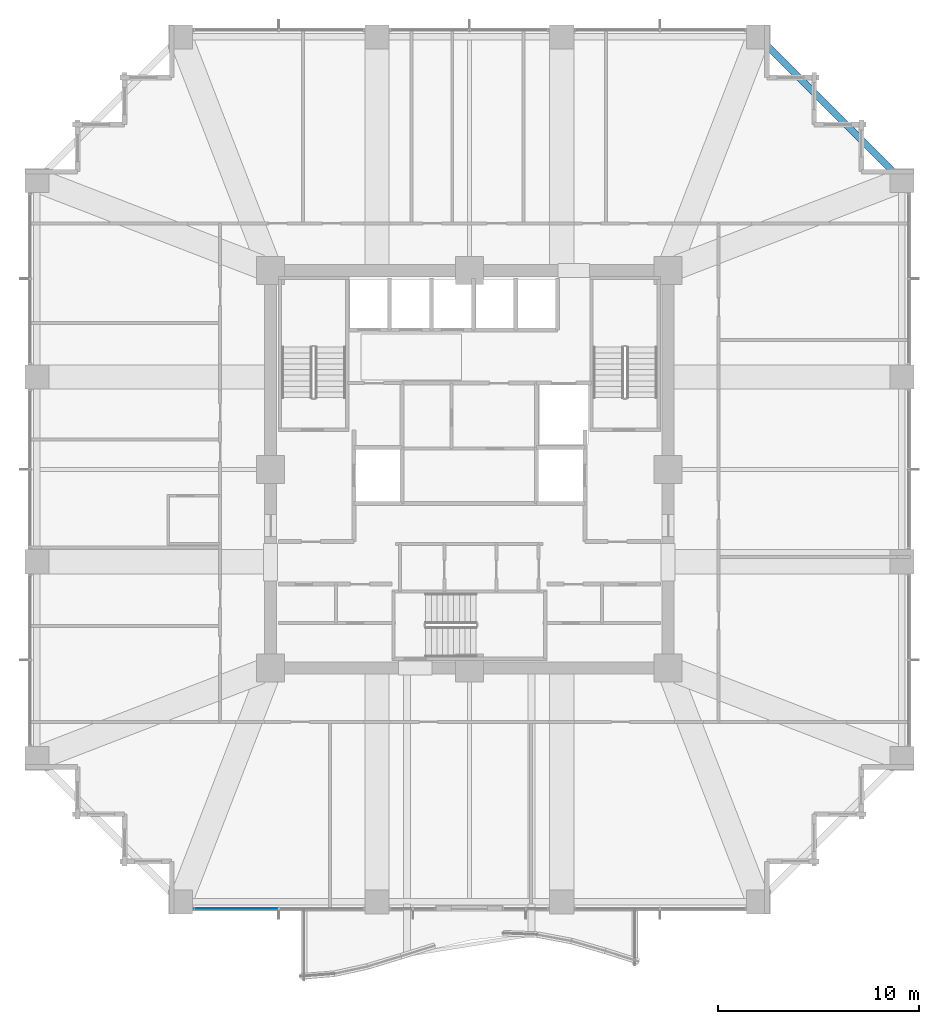
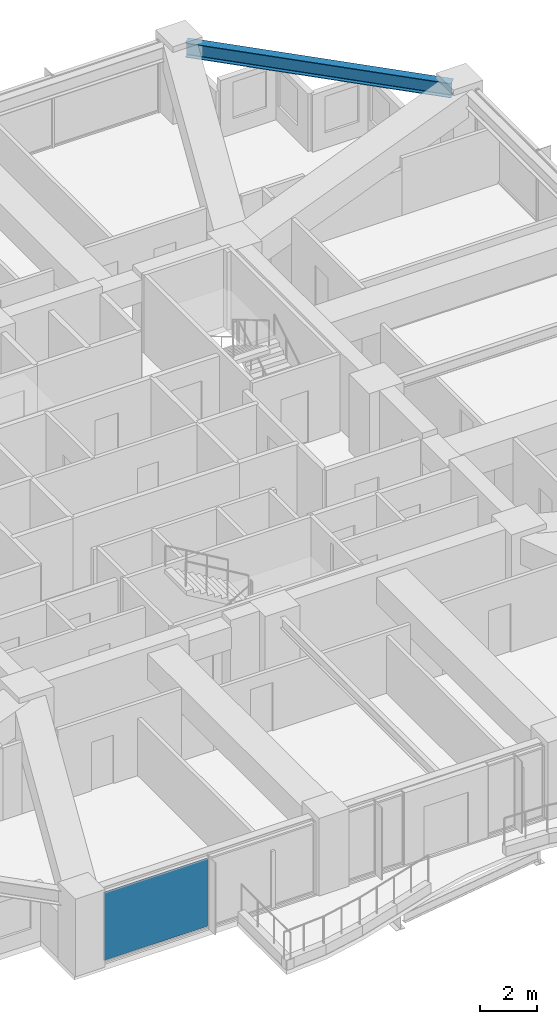
# One storey, part 26 of 37: 1 beam, 1 plate, 1 element without a shape of its own.
"""IFC4 building model written with IfcOpenShell, lengths in metres."""

from ifc_helpers import new_model, si_unit, direction, frame, origin, origin_2d, place, context, subcontext, project, spatial, rectangle, i_section, extrude, material, layer, layer_set, material_profile, profile_set, type_object, element, aggregate, save


model = new_model("IFC4")

# Units and contexts
model_context = context("Model", 3, precision=1e-05, world=origin(), true_north=direction((0.0, 1.0)))
body_context = subcontext(model_context, "Body", "Model", "MODEL_VIEW")
ifc_project = project(units=[si_unit("LENGTHUNIT", "METRE"), si_unit("AREAUNIT", "SQUARE_METRE"), si_unit("VOLUMEUNIT", "CUBIC_METRE"), si_unit("PLANEANGLEUNIT", "RADIAN"), si_unit("MASSUNIT", "GRAM", prefix="KILO")], contexts=[model_context])

# Site, building, storey
site_placement = place(None, origin())
site = spatial("IfcSite", under=ifc_project, at=site_placement, CompositionType="ELEMENT")
building_placement = place(site_placement, origin())
building = spatial("IfcBuilding", under=site, at=building_placement, Name="Kolvaren Belvedere", CompositionType="ELEMENT")
storey_placement = place(building_placement, frame((0.0, 0.0, 37.0)))
storey = spatial("IfcBuildingStorey", under=building, at=storey_placement, Name="L10", CompositionType="ELEMENT", Elevation=37.0)

# Beam
ifc_material_1 = material(Name="Structural steel ASTM A992 Grade 50", Category="steel")
ifc_material_profile = material_profile(ifc_material_1, i_section(OverallWidth=0.324951171875, OverallDepth=0.615966796875, WebThickness=0.013916015625, FlangeThickness=0.021484375, FilletRadius=0.02001953125, at=origin_2d()), Name="W24X117")
ifc_profile_set = profile_set([ifc_material_profile], Name="Structural steel ASTM A992 Grade 50")
beam_type = type_object("IfcBeamType", Name="BM-SPAN-W24X117", PredefinedType="SPANDREL", material=ifc_profile_set)
beam_placement = place(storey_placement, frame((21.359130859375, 14.5908203125, 2.751953125), z_axis=(-0.707106781187, 0.707106781187, 0.0), x_axis=(-0.707106781187, -0.707106781187, 0.0)))
element("IfcBeam", 1, at=beam_placement, inside=storey, type_object=beam_type, Name="L10 Perimeter Spandrel E4-N4", PredefinedType="SPANDREL", context=body_context, shape_type="SweptSolid", body=[
    extrude(i_section(OverallWidth=0.324951171875, OverallDepth=0.615966796875, WebThickness=0.013916015625, FlangeThickness=0.021484375, FilletRadius=0.02001953125, at=origin_2d()), origin(), (0.0, 0.0, 1.0), 9.57177734375),
])

# Curtain wall, plate
ifc_material_2 = material(Name="Anodised pale-metal aluminium AA 6063-T6", Category="aluminium")
curtain_wall_type = type_object("IfcCurtainWallType", Name="CW-Z1-LOW", PredefinedType="NOTDEFINED", material=ifc_material_2)
curtain_wall_placement = place(storey_placement, origin())
curtain_wall = element("IfcCurtainWall", 2, at=curtain_wall_placement, inside=storey, type_object=curtain_wall_type, Name="L10 Unitised Curtain Wall FCW-L10-S2-B2", PredefinedType="NOTDEFINED")
ifc_material_3 = material(Name="Low-iron triple insulated glass", Category="glass")
ifc_layer = layer(ifc_material_3, 0.028076171875)
ifc_layer_set = layer_set([ifc_layer], Name="Low-iron triple insulated glass")
plate_type = type_object("IfcPlateType", Name="CW-PNL-VIS28", PredefinedType="CURTAIN_PANEL", material=ifc_layer_set)
plate_placement = place(storey_placement, frame((-11.62255859375, -21.8798828125, 0.080078125), z_axis=(0.0, 0.0, 1.0), x_axis=(-1.0, 0.0, 0.0)))
plate = element("IfcPlate", 3, at=plate_placement, type_object=plate_type, Name="FCW-L10-S2-B2 Vision Glazing Panel 2", PredefinedType="CURTAIN_PANEL", context=body_context, shape_type="SweptSolid", body=[
    extrude(rectangle(XDim=4.1650390625, YDim=0.028076171875, at=origin_2d()), origin(), (0.0, 0.0, 1.0), 2.89990234375),
])
aggregate(curtain_wall, [plate])

save(model, "model.ifc")
